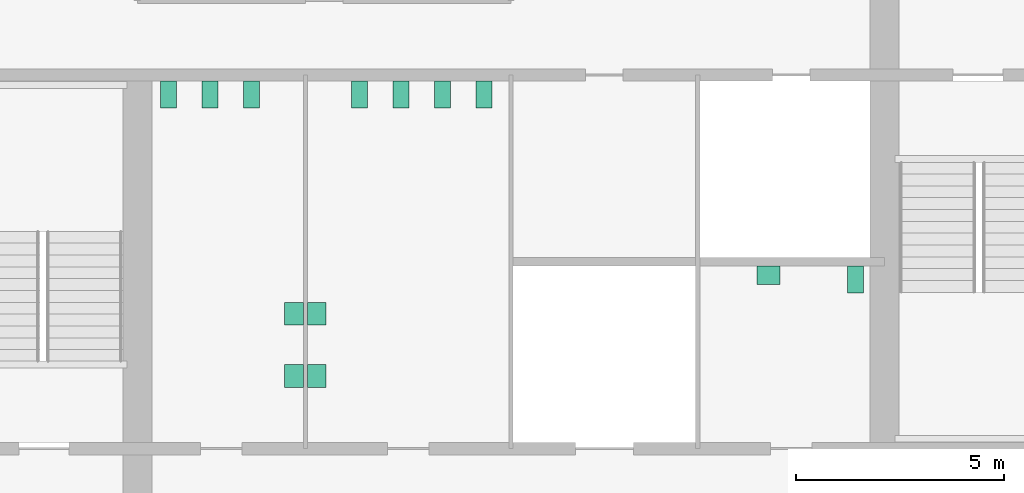
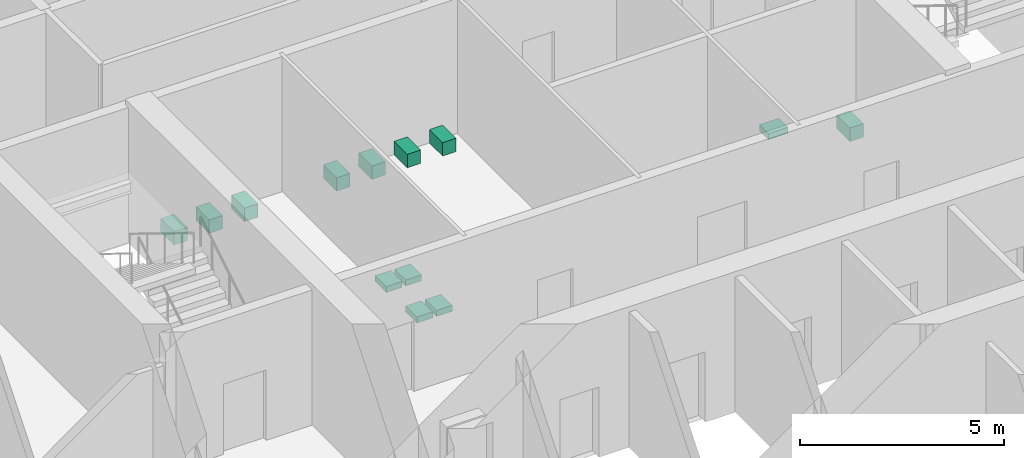
# One storey, part 12 of 12: 13 sanitary terminals.
"""IFC4 building model written with IfcOpenShell, lengths in metres."""

from ifc_helpers import new_model, si_unit, direction, frame, origin, origin_2d, place, context, subcontext, project, spatial, rectangle, extrude, material, type_object, element, save


model = new_model("IFC4")

# Units and contexts
model_context = context("Model", 3, precision=1e-05, world=origin(), true_north=direction((0.0, 1.0)))
body_context = subcontext(model_context, "Body", "Model", "MODEL_VIEW")
ifc_project = project(units=[si_unit("LENGTHUNIT", "METRE"), si_unit("AREAUNIT", "SQUARE_METRE"), si_unit("VOLUMEUNIT", "CUBIC_METRE"), si_unit("PLANEANGLEUNIT", "RADIAN"), si_unit("MASSUNIT", "GRAM", prefix="KILO")], contexts=[model_context])

# Site, building, storey
site_placement = place(None, origin())
site = spatial("IfcSite", under=ifc_project, at=site_placement, CompositionType="ELEMENT")
building_placement = place(site_placement, origin())
building = spatial("IfcBuilding", under=site, at=building_placement, Name="Corais Broadcast Tower", CompositionType="ELEMENT")
storey_placement = place(building_placement, frame((0.0, 0.0, 58.39990234375)))
storey = spatial("IfcBuildingStorey", under=building, at=storey_placement, Name="L12", CompositionType="ELEMENT", Elevation=58.39990234375)

# Sanitary terminals
ifc_material_1 = material(Name="Vitreous china", Category="ceramic")
sanitary_terminal_type_1 = type_object("IfcSanitaryTerminalType", Name="WC pan 380x650", PredefinedType="TOILETPAN", material=ifc_material_1)
for number, where, z_axis, x_axis, name in (
    (1, (18.75, 31.02490234375, 0.000244140625), (0.0, 0.0, 1.0), (1.0, 0.0, 0.0), "SW1 WC pan, male toilets L12"),
    (2, (19.75, 31.02490234375, 0.000244140625), (0.0, 0.0, 1.0), (1.0, 0.0, 0.0), "SW1 WC pan, male toilets L12"),
    (3, (20.75, 31.02490234375, 0.000244140625), (0.0, 0.0, 1.0), (1.0, 0.0, 0.0), "SW1 WC pan, male toilets L12"),
    (4, (23.35009765625, 31.02490234375, 0.000244140625), (0.0, 0.0, 1.0), (1.0, 0.0, 0.0), "SW1 WC pan, female toilets L12"),
    (5, (24.35009765625, 31.02490234375, 0.000244140625), (0.0, 0.0, 1.0), (1.0, 0.0, 0.0), "SW1 WC pan, female toilets L12"),
    (6, (25.35009765625, 31.02490234375, 0.000244140625), (0.0, 0.0, 1.0), (1.0, 0.0, 0.0), "SW1 WC pan, female toilets L12"),
    (7, (26.35009765625, 31.02490234375, 0.000244140625), (0.0, 0.0, 1.0), (1.0, 0.0, 0.0), "SW1 WC pan, female toilets L12"),
    (8, (35.300048828125, 26.574951171875, 0.000244140625), (0.0, 0.0, 1.0), (1.0, 0.0, 0.0), "SW1 WC pan, accessible WC L12"),
):
    element("IfcSanitaryTerminal", number, at=place(storey_placement, frame(where, z_axis=z_axis, x_axis=x_axis)), inside=storey, type_object=sanitary_terminal_type_1, Name=name, PredefinedType="TOILETPAN", context=body_context, shape_type="SweptSolid", body=[
        extrude(rectangle(XDim=0.3798828125, YDim=0.64990234375, at=origin_2d()), origin(), (0.0, 0.0, 1.0), 0.39990234375),
    ])
ifc_material_2 = material(Name="Vitreous china", Category="ceramic")
sanitary_terminal_type_2 = type_object("IfcSanitaryTerminalType", Name="Wash basin 550x450", PredefinedType="WASHHANDBASIN", material=ifc_material_2)
for number, where, z_axis, x_axis, name in (
    (9, (21.77490234375, 24.25, 0.7001953125), (0.0, 0.0, 1.0), (1.0, 0.0, 0.0), "WB1 wash basin, male toilets L12"),
    (10, (21.77490234375, 25.75, 0.7001953125), (0.0, 0.0, 1.0), (1.0, 0.0, 0.0), "WB1 wash basin, male toilets L12"),
    (11, (22.324951171875, 24.25, 0.7001953125), (0.0, 0.0, 1.0), (1.0, 0.0, 0.0), "WB1 wash basin, female toilets L12"),
    (12, (22.324951171875, 25.75, 0.7001953125), (0.0, 0.0, 1.0), (1.0, 0.0, 0.0), "WB1 wash basin, female toilets L12"),
):
    element("IfcSanitaryTerminal", number, at=place(storey_placement, frame(where, z_axis=z_axis, x_axis=x_axis)), inside=storey, type_object=sanitary_terminal_type_2, Name=name, PredefinedType="WASHHANDBASIN", context=body_context, shape_type="SweptSolid", body=[
        extrude(rectangle(XDim=0.449951171875, YDim=0.550048828125, at=origin_2d()), origin(), (0.0, 0.0, 1.0), 0.179931640625),
    ])
sanitary_terminal_placement = place(storey_placement, frame((33.199951171875, 26.675048828125, 0.7001953125), z_axis=(0.0, 0.0, 1.0), x_axis=(1.0, 0.0, 0.0)))
element("IfcSanitaryTerminal", 13, at=sanitary_terminal_placement, inside=storey, type_object=sanitary_terminal_type_2, Name="WB1 wash basin, accessible WC L12", PredefinedType="WASHHANDBASIN", context=body_context, shape_type="SweptSolid", body=[
    extrude(rectangle(XDim=0.550048828125, YDim=0.449951171875, at=origin_2d()), origin(), (0.0, 0.0, 1.0), 0.179931640625),
])

save(model, "model.ifc")
